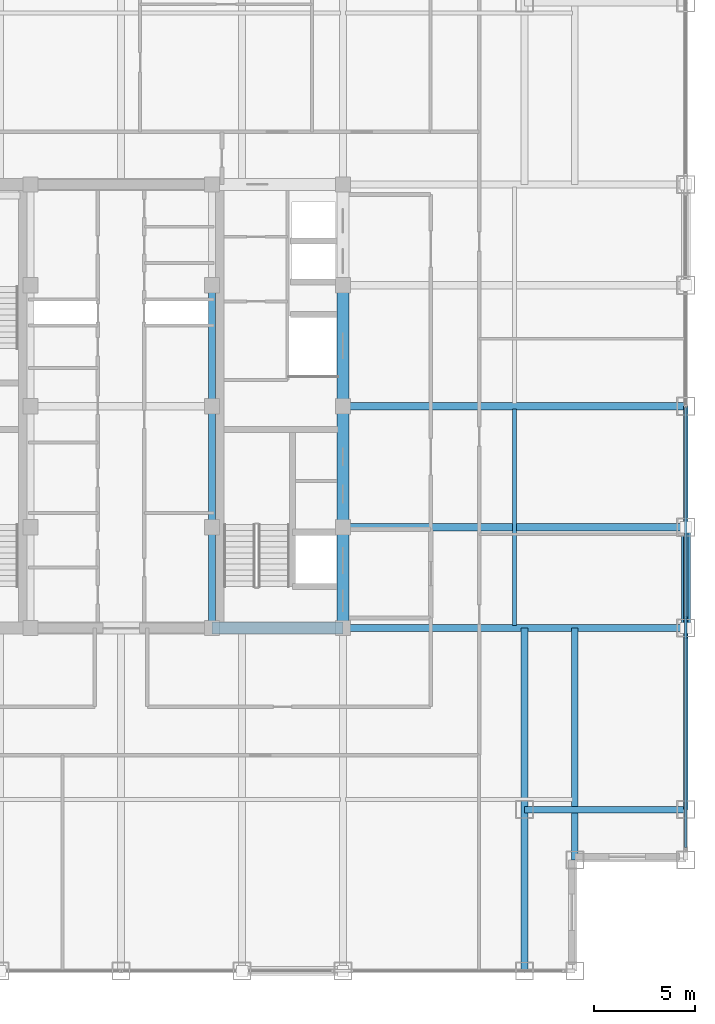
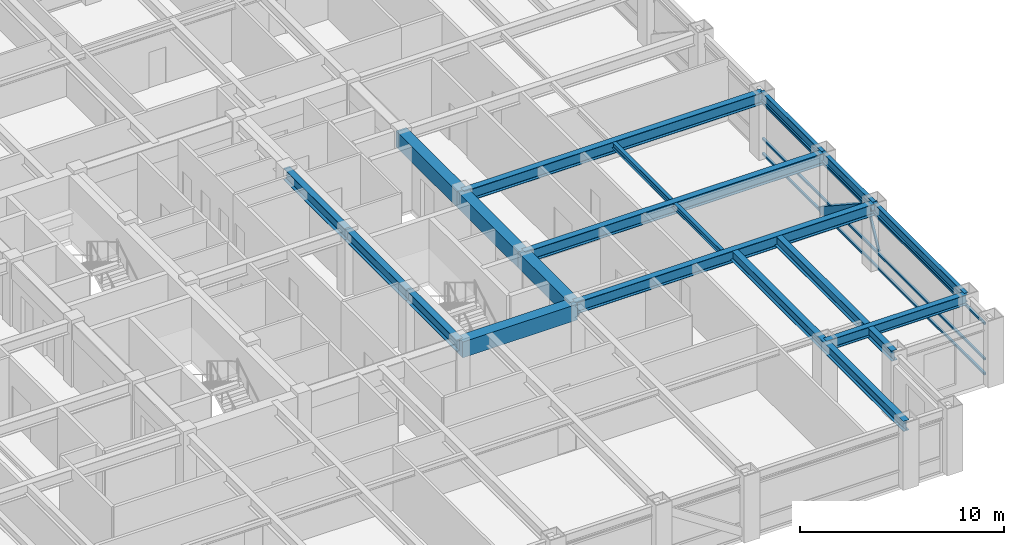
# One storey, part 9 of 22: 17 beams, 5 members, 1 element without a shape of its own.
"""IFC4 building model written with IfcOpenShell, lengths in metres."""

from ifc_helpers import new_model, si_unit, direction, frame, origin, origin_2d, place, context, subcontext, project, spatial, rectangle, hollow_rectangle, i_section, extrude, source, transform, mapped, material, material_profile, profile_set, type_object, element, aggregate, save


model = new_model("IFC4")

# Units and contexts
model_context = context("Model", 3, precision=1e-05, world=origin(), true_north=direction((0.0, 1.0)))
body_context = subcontext(model_context, "Body", "Model", "MODEL_VIEW")
ifc_project = project(units=[si_unit("LENGTHUNIT", "METRE"), si_unit("AREAUNIT", "SQUARE_METRE"), si_unit("VOLUMEUNIT", "CUBIC_METRE"), si_unit("PLANEANGLEUNIT", "RADIAN"), si_unit("MASSUNIT", "GRAM", prefix="KILO")], contexts=[model_context])

# Site, building, storey
site_placement = place(None, origin())
site = spatial("IfcSite", under=ifc_project, at=site_placement, CompositionType="ELEMENT")
building_placement = place(site_placement, origin())
building = spatial("IfcBuilding", under=site, at=building_placement, Name="Khorayat Bourse Tower", CompositionType="ELEMENT")
storey_placement = place(building_placement, frame((0.0, 0.0, 309.5)))
storey = spatial("IfcBuildingStorey", under=building, at=storey_placement, Name="L73", CompositionType="ELEMENT", Elevation=309.5)

# Beams
ifc_material_1 = material(Name="Steel ASTM A992 Grade 50", Category="steel")
ifc_material_profile_1 = material_profile(ifc_material_1, i_section(OverallWidth=0.35498046875, OverallDepth=0.695068359375, WebThickness=0.015380859375, FlangeThickness=0.02490234375, FilletRadius=0.01806640625, at=origin_2d()), Name="W690X217")
ifc_profile_set_1 = profile_set([ifc_material_profile_1], Name="Steel ASTM A992 Grade 50")
beam_type_1 = type_object("IfcBeamType", Name="BM-GIRD-690", PredefinedType="BEAM", material=ifc_profile_set_1)
shared_shape_1 = source(origin(), body_context, "Body", "SweptSolid", [
    extrude(i_section(OverallWidth=0.35498046875, OverallDepth=0.695068359375, WebThickness=0.015380859375, FlangeThickness=0.02490234375, FilletRadius=0.01806640625, at=origin_2d()), origin(), (0.0, 0.0, 1.0), 5.0),
])
beam_1_placement = place(storey_placement, frame((4.5, -11.0, 3.4326171875), z_axis=(0.0, 1.0, 0.0), x_axis=(-1.0, 0.0, 0.0)))
element("IfcBeam", 1, at=beam_1_placement, inside=storey, type_object=beam_type_1, Name="L73 BM-GIRD-690 BM-L73-CRX-09", PredefinedType="BEAM", context=body_context, shape_type="MappedRepresentation", body=[
    mapped(shared_shape_1, transform((0.0, 0.0, 0.0), scale=1.0)),
])
shared_shape_2 = source(origin(), body_context, "Body", "SweptSolid", [
    extrude(i_section(OverallWidth=0.35498046875, OverallDepth=0.695068359375, WebThickness=0.015380859375, FlangeThickness=0.02490234375, FilletRadius=0.01806640625, at=origin_2d()), origin(), (0.0, 0.0, 1.0), 6.0),
])
for number, where, z_axis, x_axis, name in (
    (2, (4.5, -6.0, 3.4326171875), (0.0, 1.0, 0.0), (-1.0, 0.0, 0.0), "L73 BM-GIRD-690 BM-L73-CRX-10"),
    (3, (4.5, 0.0, 3.4326171875), (0.0, 1.0, 0.0), (-1.0, 0.0, 0.0), "L73 BM-GIRD-690 BM-L73-CRX-11"),
):
    element("IfcBeam", number, at=place(storey_placement, frame(where, z_axis=z_axis, x_axis=x_axis)), inside=storey, type_object=beam_type_1, Name=name, PredefinedType="BEAM", context=body_context, shape_type="MappedRepresentation", body=[
        mapped(shared_shape_2, transform((0.0, 0.0, 0.0), scale=1.0)),
    ])
ifc_material_profile_2 = material_profile(ifc_material_1, i_section(OverallWidth=0.324951171875, OverallDepth=0.615966796875, WebThickness=0.013916015625, FlangeThickness=0.021484375, FilletRadius=0.01611328125, at=origin_2d()), Name="W610X174")
ifc_profile_set_2 = profile_set([ifc_material_profile_2], Name="Steel ASTM A992 Grade 50")
beam_type_2 = type_object("IfcBeamType", Name="BM-GIRD-610", PredefinedType="BEAM", material=ifc_profile_set_2)
shared_shape_3 = source(origin(), body_context, "Body", "SweptSolid", [
    extrude(i_section(OverallWidth=0.324951171875, OverallDepth=0.615966796875, WebThickness=0.013916015625, FlangeThickness=0.021484375, FilletRadius=0.01611328125, at=origin_2d()), origin(), (0.0, 0.0, 1.0), 17.0),
])
beam_2_placement = place(storey_placement, frame((20.0, -28.0, 3.471923828125), z_axis=(0.0, 1.0, 0.0), x_axis=(-1.0, 0.0, 0.0)))
element("IfcBeam", 4, at=beam_2_placement, inside=storey, type_object=beam_type_2, Name="L73 BM-GIRD-610 BM-L73-CNRY-086", PredefinedType="BEAM", context=body_context, shape_type="MappedRepresentation", body=[
    mapped(shared_shape_3, transform((0.0, 0.0, 0.0), scale=1.0)),
])
ifc_material_2 = material(Name="Concrete C60/75", Category="concrete")
ifc_material_profile_3 = material_profile(ifc_material_2, rectangle(XDim=0.60009765625, YDim=0.949951171875, at=origin_2d()), Name="RC 600x950")
ifc_profile_set_3 = profile_set([ifc_material_profile_3], Name="Concrete C60/75")
beam_type_3 = type_object("IfcBeamType", Name="BM-COUP-950", PredefinedType="BEAM", material=ifc_profile_set_3)
shared_shape_4 = source(origin(), body_context, "Body", "SweptSolid", [
    extrude(rectangle(XDim=0.60009765625, YDim=0.949951171875, at=origin_2d()), origin(), (0.0, 0.0, 1.0), 5.0),
])
beam_3_placement = place(storey_placement, frame((11.0, -11.0, 3.304931640625), z_axis=(0.0, 1.0, 0.0), x_axis=(-1.0, 0.0, 0.0)))
element("IfcBeam", 5, at=beam_3_placement, inside=storey, type_object=beam_type_3, Name="L73 BM-COUP-950 BM-L73-CRX-13", PredefinedType="BEAM", context=body_context, shape_type="MappedRepresentation", body=[
    mapped(shared_shape_4, transform((0.0, 0.0, 0.0), scale=1.0)),
])
shared_shape_5 = source(origin(), body_context, "Body", "SweptSolid", [
    extrude(rectangle(XDim=0.60009765625, YDim=0.949951171875, at=origin_2d()), origin(), (0.0, 0.0, 1.0), 6.0),
])
for number, where, z_axis, x_axis, name in (
    (6, (11.0, -6.0, 3.304931640625), (0.0, 1.0, 0.0), (-1.0, 0.0, 0.0), "L73 BM-COUP-950 BM-L73-CRX-14"),
    (7, (11.0, 0.0, 3.304931640625), (0.0, 1.0, 0.0), (-1.0, 0.0, 0.0), "L73 BM-COUP-950 BM-L73-CRX-15"),
):
    element("IfcBeam", number, at=place(storey_placement, frame(where, z_axis=z_axis, x_axis=x_axis)), inside=storey, type_object=beam_type_3, Name=name, PredefinedType="BEAM", context=body_context, shape_type="MappedRepresentation", body=[
        mapped(shared_shape_5, transform((0.0, 0.0, 0.0), scale=1.0)),
    ])
shared_shape_6 = source(origin(), body_context, "Body", "SweptSolid", [
    extrude(rectangle(XDim=0.60009765625, YDim=0.949951171875, at=origin_2d()), origin(), (0.0, 0.0, 1.0), 6.5),
])
beam_4_placement = place(storey_placement, frame((4.5, -11.0, 3.304931640625), z_axis=(1.0, 0.0, 0.0), x_axis=(0.0, 1.0, 0.0)))
element("IfcBeam", 8, at=beam_4_placement, inside=storey, type_object=beam_type_3, Name="L73 BM-COUP-950 BM-L73-CRY-19", PredefinedType="BEAM", context=body_context, shape_type="MappedRepresentation", body=[
    mapped(shared_shape_6, transform((0.0, 0.0, 0.0), scale=1.0)),
])

# Member
ifc_material_3 = material(Name="Steel EN 10025-4 S460M", Category="steel")
ifc_material_profile_4 = material_profile(ifc_material_3, hollow_rectangle(XDim=0.449951171875, YDim=0.449951171875, WallThickness=0.02490234375, at=origin_2d()), Name="HSS 450x450x25")
ifc_profile_set_4 = profile_set([ifc_material_profile_4], Name="Steel EN 10025-4 S460M")
member_type_1 = type_object("IfcMemberType", Name="MBR-TUBE-450", PredefinedType="BRACE", material=ifc_profile_set_4)
shared_shape_7 = source(origin(), body_context, "Body", "SweptSolid", [
    extrude(hollow_rectangle(XDim=0.449951171875, YDim=0.449951171875, WallThickness=0.02490234375, at=origin_2d()), origin(), (0.0, 0.0, 1.0), 5.979736328125),
])
member_1_placement = place(storey_placement, frame((28.0, -11.0, 3.530029296875), z_axis=(0.0, 0.836141536525, -0.548513747227), x_axis=(-1.0, 0.0, 0.0)))
element("IfcMember", 9, at=member_1_placement, inside=storey, type_object=member_type_1, Name="L73 Perimeter Tube Brace 07", PredefinedType="BRACE", context=body_context, shape_type="MappedRepresentation", body=[
    mapped(shared_shape_7, transform((0.0, 0.0, 0.0), scale=1.0)),
])

# Beams
shared_shape_8 = source(origin(), body_context, "Body", "SweptSolid", [
    extrude(i_section(OverallWidth=0.35498046875, OverallDepth=0.695068359375, WebThickness=0.015380859375, FlangeThickness=0.02490234375, FilletRadius=0.01806640625, at=origin_2d()), origin(), (0.0, 0.0, 1.0), 17.0),
])
for number, where, z_axis, x_axis, name in (
    (10, (11.0, -11.0, 3.4326171875), (1.0, 0.0, 0.0), (0.0, 1.0, 0.0), "L73 BM-GIRD-690 BM-L73-RADX-074"),
    (11, (11.0, -6.0, 3.4326171875), (1.0, 0.0, 0.0), (0.0, 1.0, 0.0), "L73 BM-GIRD-690 BM-L73-RADX-076"),
    (12, (11.0, 0.0, 3.4326171875), (1.0, 0.0, 0.0), (0.0, 1.0, 0.0), "L73 BM-GIRD-690 BM-L73-RADX-078"),
):
    element("IfcBeam", number, at=place(storey_placement, frame(where, z_axis=z_axis, x_axis=x_axis)), inside=storey, type_object=beam_type_1, Name=name, PredefinedType="BEAM", context=body_context, shape_type="MappedRepresentation", body=[
        mapped(shared_shape_8, transform((0.0, 0.0, 0.0), scale=1.0)),
    ])
shared_shape_9 = source(origin(), body_context, "Body", "SweptSolid", [
    extrude(i_section(OverallWidth=0.324951171875, OverallDepth=0.615966796875, WebThickness=0.013916015625, FlangeThickness=0.021484375, FilletRadius=0.01611328125, at=origin_2d()), origin(), (0.0, 0.0, 1.0), 11.5),
])
beam_5_placement = place(storey_placement, frame((22.5, -22.5, 3.471923828125), z_axis=(0.0, 1.0, 0.0), x_axis=(-1.0, 0.0, 0.0)))
element("IfcBeam", 13, at=beam_5_placement, inside=storey, type_object=beam_type_2, Name="L73 BM-GIRD-610 BM-L73-CNRY-090", PredefinedType="BEAM", context=body_context, shape_type="MappedRepresentation", body=[
    mapped(shared_shape_9, transform((0.0, 0.0, 0.0), scale=1.0)),
])
shared_shape_10 = source(origin(), body_context, "Body", "SweptSolid", [
    extrude(i_section(OverallWidth=0.324951171875, OverallDepth=0.615966796875, WebThickness=0.013916015625, FlangeThickness=0.021484375, FilletRadius=0.01611328125, at=origin_2d()), origin(), (0.0, 0.0, 1.0), 8.0),
])
beam_6_placement = place(storey_placement, frame((20.0, -20.0, 3.471923828125), z_axis=(1.0, 0.0, 0.0), x_axis=(0.0, 1.0, 0.0)))
element("IfcBeam", 14, at=beam_6_placement, inside=storey, type_object=beam_type_2, Name="L73 BM-GIRD-610 BM-L73-CNRX-092", PredefinedType="BEAM", context=body_context, shape_type="MappedRepresentation", body=[
    mapped(shared_shape_10, transform((0.0, 0.0, 0.0), scale=1.0)),
])
ifc_material_profile_5 = material_profile(ifc_material_1, i_section(OverallWidth=0.202880859375, OverallDepth=0.346923828125, WebThickness=0.0078125, FlangeThickness=0.013427734375, FilletRadius=0.010009765625, at=origin_2d()), Name="W360X64")
ifc_profile_set_5 = profile_set([ifc_material_profile_5], Name="Steel ASTM A992 Grade 50")
beam_type_4 = type_object("IfcBeamType", Name="BM-JOIST-360", PredefinedType="JOIST", material=ifc_profile_set_5)
shared_shape_11 = source(origin(), body_context, "Body", "SweptSolid", [
    extrude(i_section(OverallWidth=0.202880859375, OverallDepth=0.346923828125, WebThickness=0.0078125, FlangeThickness=0.013427734375, FilletRadius=0.010009765625, at=origin_2d()), origin(), (0.0, 0.0, 1.0), 10.740234375),
])
beam_7_placement = place(storey_placement, frame((19.5, -10.8701171875, 3.6064453125), z_axis=(0.0, 1.0, 0.0), x_axis=(-1.0, 0.0, 0.0)))
element("IfcBeam", 15, at=beam_7_placement, inside=storey, type_object=beam_type_4, Name="L73 BM-JOIST-360 BM-L73-JSTY-104", PredefinedType="JOIST", context=body_context, shape_type="MappedRepresentation", body=[
    mapped(shared_shape_11, transform((0.0, 0.0, 0.0), scale=1.0)),
])
ifc_material_profile_6 = material_profile(ifc_material_1, i_section(OverallWidth=0.214111328125, OverallDepth=0.549072265625, WebThickness=0.0146484375, FlangeThickness=0.023681640625, FilletRadius=0.013916015625, at=origin_2d()), Name="W530X138")
ifc_profile_set_6 = profile_set([ifc_material_profile_6], Name="Steel ASTM A992 Grade 50")
beam_type_5 = type_object("IfcBeamType", Name="BM-SPAN-530", PredefinedType="SPANDREL", material=ifc_profile_set_6)
shared_shape_12 = source(origin(), body_context, "Body", "SweptSolid", [
    extrude(i_section(OverallWidth=0.214111328125, OverallDepth=0.549072265625, WebThickness=0.0146484375, FlangeThickness=0.023681640625, FilletRadius=0.013916015625, at=origin_2d()), origin(), (0.0, 0.0, 1.0), 9.0),
])
beam_8_placement = place(storey_placement, frame((28.0, -20.0, 3.505615234375), z_axis=(0.0, 1.0, 0.0), x_axis=(-1.0, 0.0, 0.0)))
element("IfcBeam", 16, at=beam_8_placement, inside=storey, type_object=beam_type_5, Name="L73 BM-SPAN-530 BM-L73-SPN-035", PredefinedType="SPANDREL", context=body_context, shape_type="MappedRepresentation", body=[
    mapped(shared_shape_12, transform((0.0, 0.0, 0.0), scale=1.0)),
])
shared_shape_13 = source(origin(), body_context, "Body", "SweptSolid", [
    extrude(i_section(OverallWidth=0.214111328125, OverallDepth=0.549072265625, WebThickness=0.0146484375, FlangeThickness=0.023681640625, FilletRadius=0.013916015625, at=origin_2d()), origin(), (0.0, 0.0, 1.0), 5.0),
])
beam_9_placement = place(storey_placement, frame((28.0, -11.0, 3.505615234375), z_axis=(0.0, 1.0, 0.0), x_axis=(-1.0, 0.0, 0.0)))
element("IfcBeam", 17, at=beam_9_placement, inside=storey, type_object=beam_type_5, Name="L73 BM-SPAN-530 BM-L73-SPN-036", PredefinedType="SPANDREL", context=body_context, shape_type="MappedRepresentation", body=[
    mapped(shared_shape_13, transform((0.0, 0.0, 0.0), scale=1.0)),
])
shared_shape_14 = source(origin(), body_context, "Body", "SweptSolid", [
    extrude(i_section(OverallWidth=0.214111328125, OverallDepth=0.549072265625, WebThickness=0.0146484375, FlangeThickness=0.023681640625, FilletRadius=0.013916015625, at=origin_2d()), origin(), (0.0, 0.0, 1.0), 6.0),
])
beam_10_placement = place(storey_placement, frame((28.0, -6.0, 3.505615234375), z_axis=(0.0, 1.0, 0.0), x_axis=(-1.0, 0.0, 0.0)))
element("IfcBeam", 18, at=beam_10_placement, inside=storey, type_object=beam_type_5, Name="L73 BM-SPAN-530 BM-L73-SPN-037", PredefinedType="SPANDREL", context=body_context, shape_type="MappedRepresentation", body=[
    mapped(shared_shape_14, transform((0.0, 0.0, 0.0), scale=1.0)),
])

# Curtain wall, members
ifc_material_4 = material(Name="Aluminium EN AW-6063 T6", Category="aluminium")
curtain_wall_type = type_object("IfcCurtainWallType", Name="CW-SYS-04", PredefinedType="NOTDEFINED", material=ifc_material_4)
curtain_wall_placement = place(storey_placement, origin())
curtain_wall = element("IfcCurtainWall", 19, at=curtain_wall_placement, inside=storey, type_object=curtain_wall_type, Name="L73 Curtain Wall CW-L73-E1", PredefinedType="NOTDEFINED")
ifc_material_profile_7 = material_profile(ifc_material_4, hollow_rectangle(XDim=0.1201171875, YDim=0.1201171875, WallThickness=0.0048828125, at=origin_2d()), Name="ALU 120x120x5")
ifc_profile_set_7 = profile_set([ifc_material_profile_7], Name="Aluminium EN AW-6063 T6")
member_type_2 = type_object("IfcMemberType", Name="CWM-DIAG-120", PredefinedType="MULLION", material=ifc_profile_set_7)
shared_shape_15 = source(origin(), body_context, "Body", "SweptSolid", [
    extrude(hollow_rectangle(XDim=0.1201171875, YDim=0.1201171875, WallThickness=0.0048828125, at=origin_2d()), origin(), (0.0, 0.0, 1.0), 2.0791015625),
])
member_2_placement = place(storey_placement, frame((28.0, -11.4541015625, 1.090087890625), z_axis=(0.0, 0.465717394116, 0.884933505309), x_axis=(-1.0, 0.0, 0.0)))
member_2 = element("IfcMember", 20, at=member_2_placement, type_object=member_type_2, Name="CW-L73-E1 Faceted Diagonal Mullion 1", PredefinedType="MULLION", context=body_context, shape_type="MappedRepresentation", body=[
    mapped(shared_shape_15, transform((0.0, 0.0, 0.0), scale=1.0)),
])
ifc_material_profile_8 = material_profile(ifc_material_4, hollow_rectangle(XDim=0.1201171875, YDim=0.1201171875, WallThickness=0.0048828125, at=origin_2d()), Name="ALU 120x120x5")
ifc_profile_set_8 = profile_set([ifc_material_profile_8], Name="Aluminium EN AW-6063 T6")
member_type_3 = type_object("IfcMemberType", Name="CWT-HORZ-120", PredefinedType="USERDEFINED", material=ifc_profile_set_8)
shared_shape_16 = source(origin(), body_context, "Body", "SweptSolid", [
    extrude(hollow_rectangle(XDim=0.1201171875, YDim=0.1201171875, WallThickness=0.0048828125, at=origin_2d()), origin(), (0.0, 0.0, 1.0), 21.81982421875),
])
member_3_placement = place(storey_placement, frame((28.0, -21.8798828125, 0.06005859375), z_axis=(0.0, 1.0, 0.0), x_axis=(-1.0, 0.0, 0.0)))
member_3 = element("IfcMember", 21, at=member_3_placement, type_object=member_type_3, Name="CW-L73-E1 Horizontal Transom 1-1", ObjectType="TRANSOM", PredefinedType="USERDEFINED", context=body_context, shape_type="MappedRepresentation", body=[
    mapped(shared_shape_16, transform((0.0, 0.0, 0.0), scale=1.0)),
])
member_4_placement = place(storey_placement, frame((28.0, -21.8798828125, 0.949951171875), z_axis=(0.0, 1.0, 0.0), x_axis=(-1.0, 0.0, 0.0)))
member_4 = element("IfcMember", 22, at=member_4_placement, type_object=member_type_3, Name="CW-L73-E1 Horizontal Transom 1-2", ObjectType="TRANSOM", PredefinedType="USERDEFINED", context=body_context, shape_type="MappedRepresentation", body=[
    mapped(shared_shape_16, transform((0.0, 0.0, 0.0), scale=1.0)),
])
member_5_placement = place(storey_placement, frame((28.0, -21.8798828125, 3.070068359375), z_axis=(0.0, 1.0, 0.0), x_axis=(-1.0, 0.0, 0.0)))
member_5 = element("IfcMember", 23, at=member_5_placement, type_object=member_type_3, Name="CW-L73-E1 Horizontal Transom 1-3", ObjectType="TRANSOM", PredefinedType="USERDEFINED", context=body_context, shape_type="MappedRepresentation", body=[
    mapped(shared_shape_16, transform((0.0, 0.0, 0.0), scale=1.0)),
])
aggregate(curtain_wall, [member_3, member_4, member_5, member_2])

save(model, "model.ifc")
